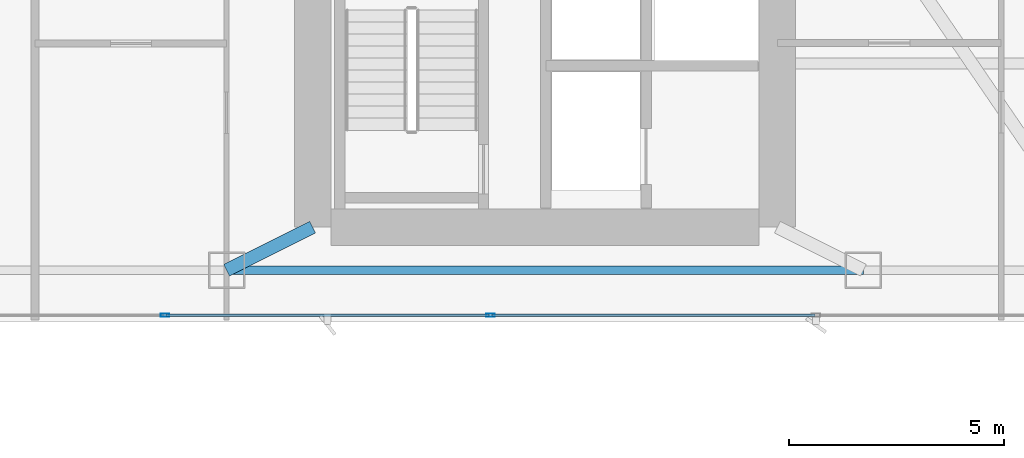
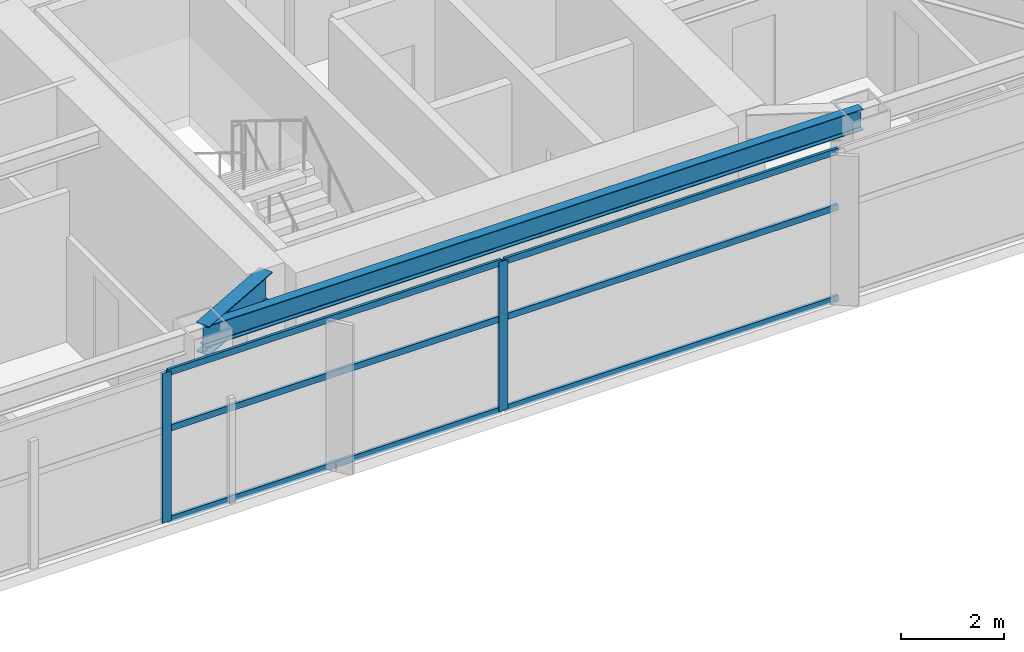
# One storey, part 6 of 28: 8 members, 2 beams, 1 element without a shape of its own.
"""IFC4 building model written with IfcOpenShell, lengths in metres."""

from ifc_helpers import new_model, si_unit, direction, frame, origin, origin_2d, place, context, subcontext, project, spatial, hollow_rectangle, i_section, extrude, material, layer, layer_set, material_profile, profile_set, type_object, element, aggregate, save


model = new_model("IFC4")

# Units and contexts
model_context = context("Model", 3, precision=1e-05, world=origin(), true_north=direction((0.0, 1.0)))
body_context = subcontext(model_context, "Body", "Model", "MODEL_VIEW")
ifc_project = project(units=[si_unit("LENGTHUNIT", "METRE"), si_unit("AREAUNIT", "SQUARE_METRE"), si_unit("VOLUMEUNIT", "CUBIC_METRE"), si_unit("PLANEANGLEUNIT", "RADIAN"), si_unit("MASSUNIT", "GRAM", prefix="KILO")], contexts=[model_context])

# Site, building, storey
site_placement = place(None, origin())
site = spatial("IfcSite", under=ifc_project, at=site_placement, CompositionType="ELEMENT")
building_placement = place(site_placement, origin())
building = spatial("IfcBuilding", under=site, at=building_placement, Name="Calvorn Quay Hotel", CompositionType="ELEMENT")
storey_placement = place(building_placement, frame((0.0, 0.0, 116.39990234375)))
storey = spatial("IfcBuildingStorey", under=building, at=storey_placement, Name="L28", CompositionType="ELEMENT", Elevation=116.39990234375)

# Beams
ifc_material_1 = material(Name="Steel Q390GJC", Category="steel")
ifc_material_profile_1 = material_profile(ifc_material_1, i_section(OverallWidth=0.300048828125, OverallDepth=0.699951171875, WebThickness=0.012939453125, FlangeThickness=0.02392578125, FilletRadius=0.02392578125, at=origin_2d()), Name="HN700x300x13x24")
ifc_profile_set_1 = profile_set([ifc_material_profile_1], Name="Steel Q390GJC")
beam_type_1 = type_object("IfcBeamType", Name="BM-GIRD-MAIN", PredefinedType="BEAM", material=ifc_profile_set_1)
beam_1_placement = place(storey_placement, frame((19.60009765625, 3.60009765625, 3.190185546875), z_axis=(0.894427191, 0.4472135955, 0.0), x_axis=(-0.4472135955, 0.894427191, 0.0)))
element("IfcBeam", 1, at=beam_1_placement, inside=storey, type_object=beam_type_1, Name="Beam BG-L28-S2", PredefinedType="BEAM", context=body_context, shape_type="SweptSolid", body=[
    extrude(i_section(OverallWidth=0.300048828125, OverallDepth=0.699951171875, WebThickness=0.012939453125, FlangeThickness=0.02392578125, FilletRadius=0.02392578125, at=origin_2d()), origin(), (0.0, 0.0, 1.0), 2.236083984375),
])
ifc_material_2 = material(Name="Steel Q355B", Category="steel")
ifc_material_profile_2 = material_profile(ifc_material_2, i_section(OverallWidth=0.199951171875, OverallDepth=0.5, WebThickness=0.010009765625, FlangeThickness=0.01611328125, FilletRadius=0.01611328125, at=origin_2d()), Name="HN500x200x10x16")
ifc_profile_set_2 = profile_set([ifc_material_profile_2], Name="Steel Q355B")
beam_type_2 = type_object("IfcBeamType", Name="BM-SPANDREL-Z1", PredefinedType="SPANDREL", material=ifc_profile_set_2)
beam_2_placement = place(storey_placement, frame((19.60009765625, 3.60009765625, 3.2900390625), z_axis=(1.0, 0.0, 0.0), x_axis=(0.0, 1.0, 0.0)))
element("IfcBeam", 2, at=beam_2_placement, inside=storey, type_object=beam_type_2, Name="Beam BSP-L28-S3", PredefinedType="SPANDREL", context=body_context, shape_type="SweptSolid", body=[
    extrude(i_section(OverallWidth=0.199951171875, OverallDepth=0.5, WebThickness=0.010009765625, FlangeThickness=0.01611328125, FilletRadius=0.01611328125, at=origin_2d()), origin(), (0.0, 0.0, 1.0), 14.7998046875),
])

# Curtain wall, members
ifc_material_3 = material(Name="Pale Anodised Aluminium and Low-E Glass", Category="aluminium")
ifc_layer = layer(ifc_material_3, 0.219970703125)
ifc_layer_set = layer_set([ifc_layer], Name="CW-SYS-Z2")
curtain_wall_type = type_object("IfcCurtainWallType", Name="CW-SYS-Z2", PredefinedType="NOTDEFINED", material=ifc_layer_set)
curtain_wall_placement = place(storey_placement, origin())
curtain_wall = element("IfcCurtainWall", 3, at=curtain_wall_placement, inside=storey, type_object=curtain_wall_type, Name="Tower South Waterfront Curtain Wall (L28)", PredefinedType="NOTDEFINED")
ifc_material_4 = material(Name="Pale Anodised Aluminium 6063-T6", Category="aluminium")
ifc_material_profile_3 = material_profile(ifc_material_4, hollow_rectangle(XDim=0.070068359375, YDim=0.199951171875, WallThickness=0.00390625, at=origin_2d()), Name="ALU-M200x70x4")
ifc_profile_set_3 = profile_set([ifc_material_profile_3], Name="Pale Anodised Aluminium 6063-T6")
member_type_1 = type_object("IfcMemberType", Name="CW-SYS-Z2-MUL", PredefinedType="MULLION", material=ifc_profile_set_3)
member_1_placement = place(storey_placement, frame((18.166748046875, 2.550048828125, 0.0), z_axis=(0.0, 0.0, 1.0), x_axis=(0.0, 1.0, 0.0)))
member_1 = element("IfcMember", 4, at=member_1_placement, type_object=member_type_1, Name="CW-L28-S mullion 2", PredefinedType="MULLION", context=body_context, shape_type="SweptSolid", body=[
    extrude(hollow_rectangle(XDim=0.070068359375, YDim=0.199951171875, WallThickness=0.00390625, at=origin_2d()), origin(), (0.0, 0.0, 1.0), 3.56005859375),
])
member_2_placement = place(storey_placement, frame((25.7333984375, 2.550048828125, 0.0), z_axis=(0.0, 0.0, 1.0), x_axis=(0.0, 1.0, 0.0)))
member_2 = element("IfcMember", 5, at=member_2_placement, type_object=member_type_1, Name="CW-L28-S mullion 3", PredefinedType="MULLION", context=body_context, shape_type="SweptSolid", body=[
    extrude(hollow_rectangle(XDim=0.070068359375, YDim=0.199951171875, WallThickness=0.00390625, at=origin_2d()), origin(), (0.0, 0.0, 1.0), 3.56005859375),
])
ifc_material_5 = material(Name="Pale Anodised Aluminium 6063-T6", Category="aluminium")
ifc_material_profile_4 = material_profile(ifc_material_5, hollow_rectangle(XDim=0.06005859375, YDim=0.14990234375, WallThickness=0.00341796875, at=origin_2d()), Name="ALU-T150x60x3.5")
ifc_profile_set_4 = profile_set([ifc_material_profile_4], Name="Pale Anodised Aluminium 6063-T6")
member_type_2 = type_object("IfcMemberType", Name="CW-SYS-Z2-TRN", PredefinedType="USERDEFINED", material=ifc_profile_set_4)
member_3_placement = place(storey_placement, frame((18.19677734375, 2.550048828125, 0.030029296875), z_axis=(1.0, 0.0, 0.0), x_axis=(0.0, 1.0, 0.0)))
member_3 = element("IfcMember", 6, at=member_3_placement, type_object=member_type_2, Name="CW-L28-S transom 2.1", ObjectType="TRANSOM", PredefinedType="USERDEFINED", context=body_context, shape_type="SweptSolid", body=[
    extrude(hollow_rectangle(XDim=0.06005859375, YDim=0.14990234375, WallThickness=0.00341796875, at=origin_2d()), origin(), (0.0, 0.0, 1.0), 7.506591796875),
])
member_4_placement = place(storey_placement, frame((18.19677734375, 2.550048828125, 2.2001953125), z_axis=(1.0, 0.0, 0.0), x_axis=(0.0, 1.0, 0.0)))
member_4 = element("IfcMember", 7, at=member_4_placement, type_object=member_type_2, Name="CW-L28-S transom 2.2", ObjectType="TRANSOM", PredefinedType="USERDEFINED", context=body_context, shape_type="SweptSolid", body=[
    extrude(hollow_rectangle(XDim=0.06005859375, YDim=0.14990234375, WallThickness=0.00341796875, at=origin_2d()), origin(), (0.0, 0.0, 1.0), 7.506591796875),
])
member_5_placement = place(storey_placement, frame((18.19677734375, 2.550048828125, 3.530029296875), z_axis=(1.0, 0.0, 0.0), x_axis=(0.0, 1.0, 0.0)))
member_5 = element("IfcMember", 8, at=member_5_placement, type_object=member_type_2, Name="CW-L28-S transom 2.3", ObjectType="TRANSOM", PredefinedType="USERDEFINED", context=body_context, shape_type="SweptSolid", body=[
    extrude(hollow_rectangle(XDim=0.06005859375, YDim=0.14990234375, WallThickness=0.00341796875, at=origin_2d()), origin(), (0.0, 0.0, 1.0), 7.506591796875),
])
member_6_placement = place(storey_placement, frame((25.763427734375, 2.550048828125, 0.030029296875), z_axis=(1.0, 0.0, 0.0), x_axis=(0.0, 1.0, 0.0)))
member_6 = element("IfcMember", 9, at=member_6_placement, type_object=member_type_2, Name="CW-L28-S transom 3.1", ObjectType="TRANSOM", PredefinedType="USERDEFINED", context=body_context, shape_type="SweptSolid", body=[
    extrude(hollow_rectangle(XDim=0.06005859375, YDim=0.14990234375, WallThickness=0.00341796875, at=origin_2d()), origin(), (0.0, 0.0, 1.0), 7.506591796875),
])
member_7_placement = place(storey_placement, frame((25.763427734375, 2.550048828125, 2.2001953125), z_axis=(1.0, 0.0, 0.0), x_axis=(0.0, 1.0, 0.0)))
member_7 = element("IfcMember", 10, at=member_7_placement, type_object=member_type_2, Name="CW-L28-S transom 3.2", ObjectType="TRANSOM", PredefinedType="USERDEFINED", context=body_context, shape_type="SweptSolid", body=[
    extrude(hollow_rectangle(XDim=0.06005859375, YDim=0.14990234375, WallThickness=0.00341796875, at=origin_2d()), origin(), (0.0, 0.0, 1.0), 7.506591796875),
])
member_8_placement = place(storey_placement, frame((25.763427734375, 2.550048828125, 3.530029296875), z_axis=(1.0, 0.0, 0.0), x_axis=(0.0, 1.0, 0.0)))
member_8 = element("IfcMember", 11, at=member_8_placement, type_object=member_type_2, Name="CW-L28-S transom 3.3", ObjectType="TRANSOM", PredefinedType="USERDEFINED", context=body_context, shape_type="SweptSolid", body=[
    extrude(hollow_rectangle(XDim=0.06005859375, YDim=0.14990234375, WallThickness=0.00341796875, at=origin_2d()), origin(), (0.0, 0.0, 1.0), 7.506591796875),
])
aggregate(curtain_wall, [member_1, member_2, member_3, member_4, member_5, member_6, member_7, member_8])

save(model, "model.ifc")
